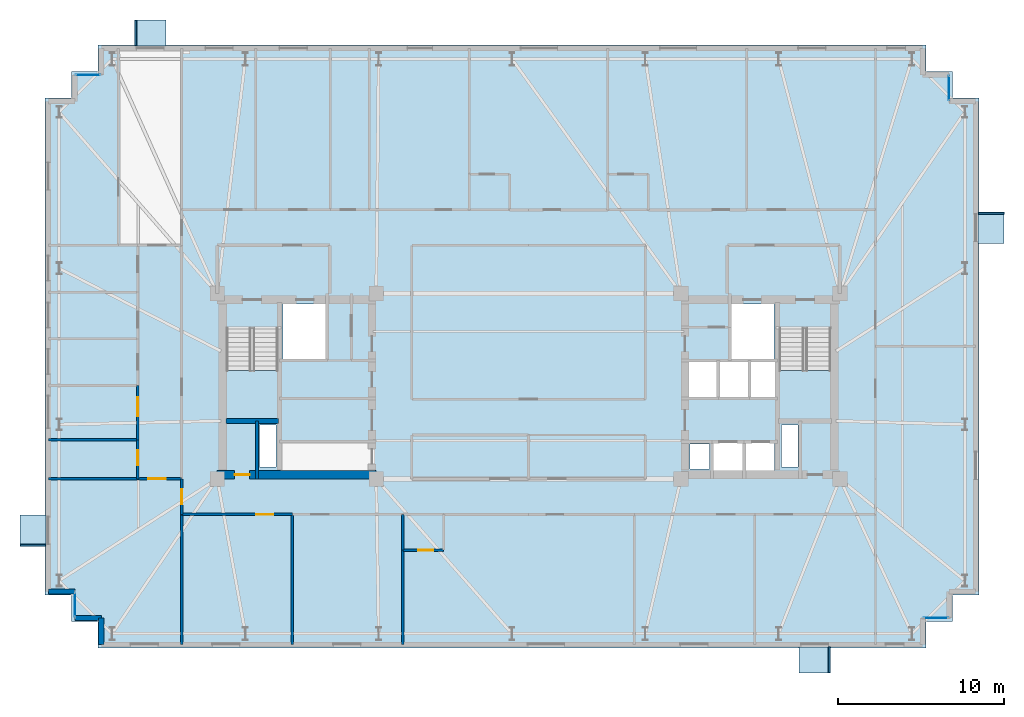
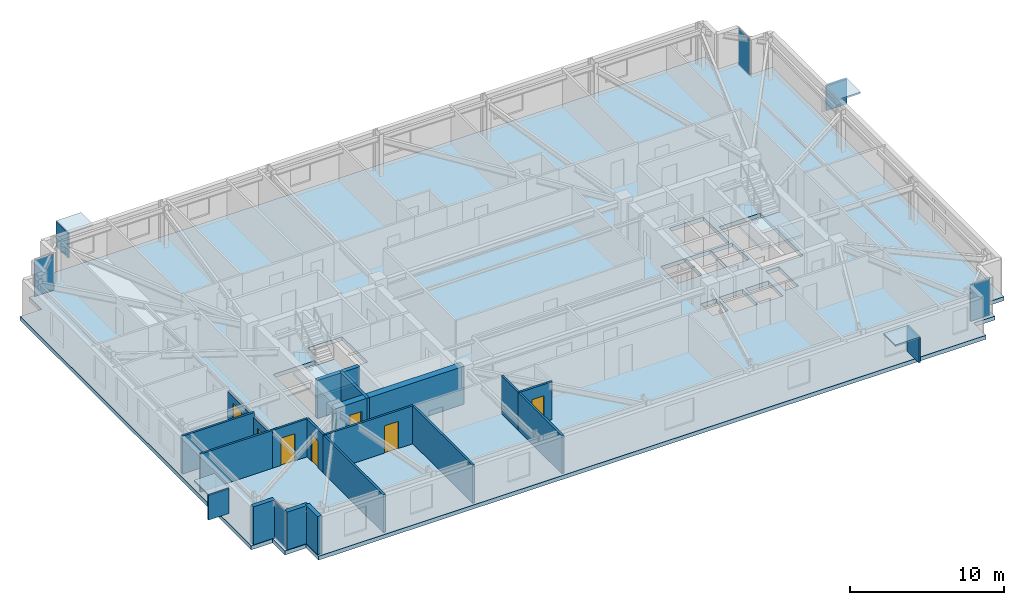
# One storey, part 10 of 17: 18 walls, 12 plates, 7 doors, 3 slabs, 7 openings, 6 elements without a shape of their own.
"""IFC4 building model written with IfcOpenShell, lengths in metres."""

import ifcopenshell
import ifcopenshell.guid

model = None  # the IFC model being written
_history = None  # IfcOwnerHistory: only IFC2X3 demands one
_inside = {}  # id of a spatial element -> (the spatial element, [elements in it])
_under = {}  # id of a project, library or spatial element -> (it, [spatial elements below it])
_declared = {}  # id of a project -> (the project, [libraries it declares])
_typed = {}  # id of a type object -> (the type object, [elements of that type])
_made_of = {}  # id of a material, layer set ... -> (it, [elements and type objects made of it])


def new_model(schema):
    """Start an empty IFC model of exactly this schema.

    Asked for "IFC4X3", IfcOpenShell would pick the latest addendum, in which some entities
    have other attributes; the version numbers below select the first issue.
    IFC2X3 requires an IfcOwnerHistory on every rooted entity: one is made here for all.
    """
    global model, _history
    if schema == "IFC4X3":
        model = ifcopenshell.file(schema_version=(4, 3, 0, 0))
    else:
        model = ifcopenshell.file(schema=schema)
    _inside.clear()
    _under.clear()
    _declared.clear()
    _typed.clear()
    _made_of.clear()
    _history = None
    if model.schema == "IFC2X3":
        org = make("IfcOrganization", Name="unknown")
        user = make(
            "IfcPersonAndOrganization",
            ThePerson=make("IfcPerson", FamilyName="unknown"),
            TheOrganization=org,
        )
        app = make(
            "IfcApplication",
            ApplicationDeveloper=org,
            Version="unknown",
            ApplicationFullName="unknown",
            ApplicationIdentifier="unknown",
        )
        _history = make(
            "IfcOwnerHistory",
            OwningUser=user,
            OwningApplication=app,
            ChangeAction="ADDED",
            CreationDate=0,
        )
    return model


def make(cls, **values):
    """One entity of the class cls with the attributes given. An attribute that is None is left unset."""
    return model.create_entity(
        cls, **{name: value for name, value in values.items() if value is not None}
    )


def rooted(cls, **values):
    """An entity with a GlobalId (a new one), such as an element, a storey or a relation."""
    return make(cls, GlobalId=ifcopenshell.guid.new(), OwnerHistory=_history, **values)


def si_unit(unit_type, name, prefix=None):
    """IfcSIUnit, for example si_unit("LENGTHUNIT", "METRE", prefix="MILLI")."""
    return make("IfcSIUnit", UnitType=unit_type, Prefix=prefix, Name=name)


def assignment(units):
    """IfcUnitAssignment: the units of a project."""
    return None if units is None else make("IfcUnitAssignment", Units=units)


def point(xyz):
    """IfcCartesianPoint."""
    return None if xyz is None else make("IfcCartesianPoint", Coordinates=xyz)


def direction(xyz):
    """IfcDirection."""
    return None if xyz is None else make("IfcDirection", DirectionRatios=xyz)


def frame(location, z_axis=None, x_axis=None):
    """IfcAxis2Placement3D, a coordinate frame: its origin and axes. An axis left out is left unset."""
    return make(
        "IfcAxis2Placement3D",
        Location=point(location),
        Axis=direction(z_axis),
        RefDirection=direction(x_axis),
    )


def frame_2d(location, x_axis=None):
    """IfcAxis2Placement2D, a coordinate frame in the plane: its origin and x axis."""
    return make(
        "IfcAxis2Placement2D", Location=point(location), RefDirection=direction(x_axis)
    )


def origin():
    """The frame at (0, 0, 0) with its axes left unset."""
    return frame((0.0, 0.0, 0.0))


def origin_2d():
    """The frame at (0, 0) in the plane with its x axis left unset."""
    return frame_2d((0.0, 0.0))


def place(relative_to, where):
    """IfcLocalPlacement: puts the frame where relative to a parent placement (None: the world)."""
    return make(
        "IfcLocalPlacement", PlacementRelTo=relative_to, RelativePlacement=where
    )


def context(
    kind, dimensions, precision=None, world=None, true_north=None, identifier=None
):
    """IfcGeometricRepresentationContext, for example the 3D "Model" context."""
    return make(
        "IfcGeometricRepresentationContext",
        ContextIdentifier=identifier,
        ContextType=kind,
        CoordinateSpaceDimension=dimensions,
        Precision=precision,
        WorldCoordinateSystem=world,
        TrueNorth=true_north,
    )


def subcontext(parent, identifier, kind, view, scale=None):
    """IfcGeometricRepresentationSubContext, for example "Body" below "Model"."""
    return make(
        "IfcGeometricRepresentationSubContext",
        ContextIdentifier=identifier,
        ContextType=kind,
        ParentContext=parent,
        TargetScale=scale,
        TargetView=view,
    )


def project(units=None, contexts=None):
    """IfcProject with its units and contexts."""
    return rooted(
        "IfcProject",
        Name="project",
        RepresentationContexts=contexts,
        UnitsInContext=assignment(units),
    )


def spatial(cls, under=None, at=None, **own):
    """A site, building, storey or space (cls), placed at a placement, below another one or the project."""
    s = rooted(cls, ObjectPlacement=at, **own)
    if under is not None:
        _under.setdefault(under.id(), (under, []))[1].append(s)
    return s


def polyline(points):
    """IfcPolyline through the points."""
    return make("IfcPolyline", Points=[point(p) for p in points])


def profile(cls, at=None, kind="AREA", **sizes):
    """A parametric profile (cls). Its sizes go by their IFC names, for example OverallWidth=200.0."""
    return make(cls, ProfileType=kind, Position=at, **sizes)


def rectangle(**sizes):
    """IfcRectangleProfileDef."""
    return profile("IfcRectangleProfileDef", **sizes)


def outline(outer, holes=None, kind="AREA"):
    """IfcArbitraryClosedProfileDef: a profile drawn as a closed curve; with holes, ...WithVoids."""
    if holes is None:
        return make("IfcArbitraryClosedProfileDef", ProfileType=kind, OuterCurve=outer)
    return make(
        "IfcArbitraryProfileDefWithVoids",
        ProfileType=kind,
        OuterCurve=outer,
        InnerCurves=holes,
    )


def extrude(swept, where, along, depth):
    """IfcExtrudedAreaSolid: the profile swept, set in the frame where, extruded along a direction by depth."""
    return make(
        "IfcExtrudedAreaSolid",
        SweptArea=swept,
        Position=where,
        ExtrudedDirection=direction(along),
        Depth=depth,
    )


def shape(context_of_items, identifier, shape_type, items):
    """IfcShapeRepresentation: the items that make up one representation, for example the "Body"."""
    return make(
        "IfcShapeRepresentation",
        ContextOfItems=context_of_items,
        RepresentationIdentifier=identifier,
        RepresentationType=shape_type,
        Items=items,
    )


def material(Name=None, Category=None):
    """IfcMaterial."""
    return make("IfcMaterial", Name=Name, Category=Category)


def layer(
    of_material, thickness, ventilated=None, Name=None, Category=None, Priority=None
):
    """IfcMaterialLayer: one layer of a wall or slab, of a material (None: an air gap)."""
    return make(
        "IfcMaterialLayer",
        Material=of_material,
        LayerThickness=thickness,
        IsVentilated=ventilated,
        Name=Name,
        Category=Category,
        Priority=Priority,
    )


def layer_set(layers, Name=None):
    """IfcMaterialLayerSet."""
    return make("IfcMaterialLayerSet", MaterialLayers=layers, LayerSetName=Name)


def made_of(thing, what):
    """Note that an element or type object is made of a material, layer set ...; save() writes the relation."""
    if what is not None:
        _made_of.setdefault(what.id(), (what, []))[1].append(thing)
    return thing


def type_object(cls, material=None, **own):
    """A type object (cls), such as IfcWallType, which elements share."""
    return made_of(rooted(cls, **own), material)


def element(
    cls,
    number,
    at=None,
    inside=None,
    cuts=None,
    type_object=None,
    material=None,
    context=None,
    identifier="Body",
    shape_type=None,
    held_by="IfcProductDefinitionShape",
    body=None,
    shapes=None,
    **own,
):
    """One element of the class cls, such as IfcWall. Its Tag is "e" and its number.

    at: its placement. inside: the storey or other place that contains it. cuts: it is an
    opening in that element (IfcRelVoidsElement). A single representation is given by context,
    identifier, shape_type and body (its items); several are given by shapes. held_by: the class
    of the entity that holds the representations. save() writes the other relations.
    """
    e = rooted(cls, Tag="e%d" % number, ObjectPlacement=at, **own)
    if body is not None:
        shapes = [shape(context, identifier, shape_type, body)]
    if shapes is not None:
        e.Representation = make(held_by, Representations=shapes)
    if inside is not None:
        _inside.setdefault(inside.id(), (inside, []))[1].append(e)
    if cuts is not None:
        rooted(
            "IfcRelVoidsElement", RelatingBuildingElement=cuts, RelatedOpeningElement=e
        )
    if type_object is not None:
        _typed.setdefault(type_object.id(), (type_object, []))[1].append(e)
    return made_of(e, material)


def fill(opening, filler):
    """IfcRelFillsElement: the door or window that sits in an opening."""
    return rooted(
        "IfcRelFillsElement",
        RelatingOpeningElement=opening,
        RelatedBuildingElement=filler,
    )


def aggregate(whole, parts):
    """IfcRelAggregates: a whole, such as a stair, and the parts it consists of."""
    return rooted("IfcRelAggregates", RelatingObject=whole, RelatedObjects=parts)


def save(model, path):
    """Write the relations noted so far, then the file.

    IfcRelAggregates (storeys below a building ...), IfcRelContainedInSpatialStructure (elements
    in a storey), IfcRelDefinesByType, IfcRelAssociatesMaterial and IfcRelDeclares: one each for
    every whole, place, type object, material and project.
    """
    for whole, parts in _under.values():
        aggregate(whole, parts)
    for where, things in _inside.values():
        rooted(
            "IfcRelContainedInSpatialStructure",
            RelatedElements=things,
            RelatingStructure=where,
        )
    for kind, things in _typed.values():
        rooted("IfcRelDefinesByType", RelatedObjects=things, RelatingType=kind)
    for what, things in _made_of.values():
        rooted("IfcRelAssociatesMaterial", RelatedObjects=things, RelatingMaterial=what)
    for by, libraries in _declared.values():
        rooted("IfcRelDeclares", RelatingContext=by, RelatedDefinitions=libraries)
    model.write(path)


model = new_model("IFC4")

# Units and contexts
model_context = context("Model", 3, precision=1e-05, world=origin(), true_north=direction((0.0, 1.0)))
body_context = subcontext(model_context, "Body", "Model", "MODEL_VIEW")
ifc_project = project(units=[si_unit("LENGTHUNIT", "METRE"), si_unit("AREAUNIT", "SQUARE_METRE"), si_unit("VOLUMEUNIT", "CUBIC_METRE"), si_unit("PLANEANGLEUNIT", "RADIAN"), si_unit("MASSUNIT", "GRAM", prefix="KILO")], contexts=[model_context])

# Site, building, storey
site_placement = place(None, origin())
site = spatial("IfcSite", under=ifc_project, at=site_placement, CompositionType="ELEMENT")
building_placement = place(site_placement, origin())
building = spatial("IfcBuilding", under=site, at=building_placement, Name="Qobustan Lattice House", CompositionType="ELEMENT")
storey_placement = place(building_placement, frame((0.0, 0.0, 171.199951171875)))
storey = spatial("IfcBuildingStorey", under=building, at=storey_placement, Name="L48", CompositionType="ELEMENT", Elevation=171.199951171875)

# Curtain wall, plate
ifc_material_1 = material(Name="Anodised aluminium and low-E glazing", Category="aluminium")
ifc_layer_1 = layer(ifc_material_1, 0.219970703125)
ifc_layer_set_1 = layer_set([ifc_layer_1], Name="Anodised aluminium and low-E glazing")
curtain_wall_type = type_object("IfcCurtainWallType", Name="CW-FAC-02", PredefinedType="USERDEFINED", material=ifc_layer_set_1)
curtain_wall_1_placement = place(storey_placement, origin())
curtain_wall_1 = element("IfcCurtainWall", 1, at=curtain_wall_1_placement, inside=storey, type_object=curtain_wall_type, Name="L48 serrated corner faceted glazing 3", ObjectType="CURTAIN WALL", PredefinedType="USERDEFINED")
ifc_material_2 = material(Name="Clear low-E laminated glass", Category="glass")
ifc_layer_2 = layer(ifc_material_2, 0.031982421875)
ifc_layer_set_2 = layer_set([ifc_layer_2], Name="Clear low-E laminated glass")
plate_type_1 = type_object("IfcPlateType", Name="CWP-VISION-32", PredefinedType="CURTAIN_PANEL", material=ifc_layer_set_2)
plate_1_placement = place(storey_placement, frame((-27.39990234375, -13.199951171875, 0.06494140625), z_axis=(0.0, 0.0, 1.0), x_axis=(0.0, 1.0, 0.0)))
plate_1 = element("IfcPlate", 2, at=plate_1_placement, type_object=plate_type_1, Name="CW-F2 panel 1.1", PredefinedType="CURTAIN_PANEL", context=body_context, shape_type="SweptSolid", body=[
    extrude(rectangle(XDim=1.4599609375, YDim=0.031982421875, at=origin_2d()), origin(), (0.0, 0.0, 1.0), 2.8701171875),
])
aggregate(curtain_wall_1, [plate_1])

curtain_wall_2_placement = place(storey_placement, origin())
curtain_wall_2 = element("IfcCurtainWall", 3, at=curtain_wall_2_placement, inside=storey, type_object=curtain_wall_type, Name="L48 serrated corner faceted glazing 8", ObjectType="CURTAIN WALL", PredefinedType="USERDEFINED")
plate_2_placement = place(storey_placement, frame((-26.60009765625, 18.800048828125, 0.06494140625), z_axis=(0.0, 0.0, 1.0), x_axis=(1.0, 0.0, 0.0)))
plate_2 = element("IfcPlate", 4, at=plate_2_placement, type_object=plate_type_1, Name="CW-F2 panel 1.1", PredefinedType="CURTAIN_PANEL", context=body_context, shape_type="SweptSolid", body=[
    extrude(rectangle(XDim=1.4599609375, YDim=0.031982421875, at=origin_2d()), origin(), (0.0, 0.0, 1.0), 2.8701171875),
])
aggregate(curtain_wall_2, [plate_2])

curtain_wall_3_placement = place(storey_placement, origin())
curtain_wall_3 = element("IfcCurtainWall", 5, at=curtain_wall_3_placement, inside=storey, type_object=curtain_wall_type, Name="L48 serrated corner faceted glazing 13", ObjectType="CURTAIN WALL", PredefinedType="USERDEFINED")
plate_3_placement = place(storey_placement, frame((25.39990234375, 18.0, 0.06494140625), z_axis=(0.0, 0.0, 1.0), x_axis=(0.0, -1.0, 0.0)))
plate_3 = element("IfcPlate", 6, at=plate_3_placement, type_object=plate_type_1, Name="CW-F2 panel 1.1", PredefinedType="CURTAIN_PANEL", context=body_context, shape_type="SweptSolid", body=[
    extrude(rectangle(XDim=1.4599609375, YDim=0.031982421875, at=origin_2d()), origin(), (0.0, 0.0, 1.0), 2.8701171875),
])
aggregate(curtain_wall_3, [plate_3])

curtain_wall_4_placement = place(storey_placement, origin())
curtain_wall_4 = element("IfcCurtainWall", 7, at=curtain_wall_4_placement, inside=storey, type_object=curtain_wall_type, Name="L48 serrated corner faceted glazing 18", ObjectType="CURTAIN WALL", PredefinedType="USERDEFINED")
plate_4_placement = place(storey_placement, frame((24.60009765625, -14.0, 0.06494140625), z_axis=(0.0, 0.0, 1.0), x_axis=(-1.0, 0.0, 0.0)))
plate_4 = element("IfcPlate", 8, at=plate_4_placement, type_object=plate_type_1, Name="CW-F2 panel 1.1", PredefinedType="CURTAIN_PANEL", context=body_context, shape_type="SweptSolid", body=[
    extrude(rectangle(XDim=1.4599609375, YDim=0.031982421875, at=origin_2d()), origin(), (0.0, 0.0, 1.0), 2.8701171875),
])
aggregate(curtain_wall_4, [plate_4])

# Plates
ifc_material_3 = material(Name="Qobustan limestone GFRC", Category="masonry")
ifc_layer_3 = layer(ifc_material_3, 0.1201171875)
ifc_layer_set_3 = layer_set([ifc_layer_3], Name="Qobustan limestone GFRC")
plate_type_2 = type_object("IfcPlateType", Name="SHD-HOOD-BROW", PredefinedType="USERDEFINED", material=ifc_layer_set_3)
plate_5_placement = place(storey_placement, frame((-29.929931640625, -8.719970703125, 2.699951171875), z_axis=(0.0, 0.0, 1.0), x_axis=(0.0, 1.0, 0.0)))
element("IfcPlate", 9, at=plate_5_placement, inside=storey, type_object=plate_type_2, Name="L48 splayed Qobustan stone hood brow", ObjectType="SUNSHADE", PredefinedType="USERDEFINED", context=body_context, shape_type="SweptSolid", body=[
    extrude(rectangle(XDim=1.889892578125, YDim=1.56005859375, at=origin_2d()), origin(), (0.0, 0.0, 1.0), 0.1201171875),
])
plate_6_placement = place(storey_placement, frame((-29.929931640625, -9.60498046875, 0.7900390625), z_axis=(0.0, 0.0, 1.0), x_axis=(0.0, 1.0, 0.0)))
element("IfcPlate", 10, at=plate_6_placement, inside=storey, type_object=plate_type_2, Name="L48 splayed Qobustan stone hood cheek", ObjectType="SUNSHADE", PredefinedType="USERDEFINED", context=body_context, shape_type="SweptSolid", body=[
    extrude(rectangle(XDim=0.1201171875, YDim=1.56005859375, at=origin_2d()), origin(), (0.0, 0.0, 1.0), 1.969970703125),
])
plate_7_placement = place(storey_placement, frame((-22.840087890625, 21.330078125, 2.699951171875), z_axis=(0.0, 0.0, 1.0), x_axis=(1.0, 0.0, 0.0)))
element("IfcPlate", 11, at=plate_7_placement, inside=storey, type_object=plate_type_2, Name="L48 splayed Qobustan stone hood brow", ObjectType="SUNSHADE", PredefinedType="USERDEFINED", context=body_context, shape_type="SweptSolid", body=[
    extrude(rectangle(XDim=1.889892578125, YDim=1.56005859375, at=origin_2d()), origin(), (0.0, 0.0, 1.0), 0.1201171875),
])
plate_8_placement = place(storey_placement, frame((-23.72509765625, 21.330078125, 0.7900390625), z_axis=(0.0, 0.0, 1.0), x_axis=(1.0, 0.0, 0.0)))
element("IfcPlate", 12, at=plate_8_placement, inside=storey, type_object=plate_type_2, Name="L48 splayed Qobustan stone hood cheek", ObjectType="SUNSHADE", PredefinedType="USERDEFINED", context=body_context, shape_type="SweptSolid", body=[
    extrude(rectangle(XDim=0.1201171875, YDim=1.56005859375, at=origin_2d()), origin(), (0.0, 0.0, 1.0), 1.969970703125),
])
plate_9_placement = place(storey_placement, frame((27.929931640625, 9.56005859375, 2.699951171875), z_axis=(0.0, 0.0, 1.0), x_axis=(0.0, -1.0, 0.0)))
element("IfcPlate", 13, at=plate_9_placement, inside=storey, type_object=plate_type_2, Name="L48 splayed Qobustan stone hood brow", ObjectType="SUNSHADE", PredefinedType="USERDEFINED", context=body_context, shape_type="SweptSolid", body=[
    extrude(rectangle(XDim=1.889892578125, YDim=1.56005859375, at=origin_2d()), origin(), (0.0, 0.0, 1.0), 0.1201171875),
])
plate_10_placement = place(storey_placement, frame((27.929931640625, 10.445068359375, 0.7900390625), z_axis=(0.0, 0.0, 1.0), x_axis=(0.0, -1.0, 0.0)))
element("IfcPlate", 14, at=plate_10_placement, inside=storey, type_object=plate_type_2, Name="L48 splayed Qobustan stone hood cheek", ObjectType="SUNSHADE", PredefinedType="USERDEFINED", context=body_context, shape_type="SweptSolid", body=[
    extrude(rectangle(XDim=0.1201171875, YDim=1.56005859375, at=origin_2d()), origin(), (0.0, 0.0, 1.0), 1.969970703125),
])
plate_11_placement = place(storey_placement, frame((17.280029296875, -16.530029296875, 2.699951171875), z_axis=(0.0, 0.0, 1.0), x_axis=(-1.0, 0.0, 0.0)))
element("IfcPlate", 15, at=plate_11_placement, inside=storey, type_object=plate_type_2, Name="L48 splayed Qobustan stone hood brow", ObjectType="SUNSHADE", PredefinedType="USERDEFINED", context=body_context, shape_type="SweptSolid", body=[
    extrude(rectangle(XDim=1.889892578125, YDim=1.56005859375, at=origin_2d()), origin(), (0.0, 0.0, 1.0), 0.1201171875),
])
plate_12_placement = place(storey_placement, frame((18.1650390625, -16.530029296875, 0.7900390625), z_axis=(0.0, 0.0, 1.0), x_axis=(-1.0, 0.0, 0.0)))
element("IfcPlate", 16, at=plate_12_placement, inside=storey, type_object=plate_type_2, Name="L48 splayed Qobustan stone hood cheek", ObjectType="SUNSHADE", PredefinedType="USERDEFINED", context=body_context, shape_type="SweptSolid", body=[
    extrude(rectangle(XDim=0.1201171875, YDim=1.56005859375, at=origin_2d()), origin(), (0.0, 0.0, 1.0), 1.969970703125),
])

# Slab
ifc_material_4 = material(Name="Concrete C40/50", Category="concrete")
ifc_layer_4 = layer(ifc_material_4, 0.31005859375)
ifc_layer_set_4 = layer_set([ifc_layer_4], Name="Concrete C40/50")
slab_type_1 = type_object("IfcSlabType", Name="SLB-FLR-310", PredefinedType="FLOOR", material=ifc_layer_set_4)
slab_1_placement = place(storey_placement, frame((0.0, 0.0, -0.31005859375)))
element("IfcSlab", 17, at=slab_1_placement, inside=storey, type_object=slab_type_1, Name="L48 structural floor slab", PredefinedType="FLOOR", context=body_context, shape_type="SweptSolid", body=[
    extrude(outline(polyline([(-26.0, -15.800048828125), (24.0, -15.800048828125), (24.0, -14.199951171875), (25.60009765625, -14.199951171875), (25.60009765625, -12.60009765625), (27.199951171875, -12.60009765625), (27.199951171875, 17.39990234375), (25.60009765625, 17.39990234375), (25.60009765625, 19.0), (24.0, 19.0), (24.0, 20.60009765625), (-26.0, 20.60009765625), (-26.0, 19.0), (-27.60009765625, 19.0), (-27.60009765625, 17.39990234375), (-29.199951171875, 17.39990234375), (-29.199951171875, -12.60009765625), (-27.60009765625, -12.60009765625), (-27.60009765625, -14.199951171875), (-26.0, -14.199951171875), (-26.0, -15.800048828125)]), holes=[polyline([(-18.25, -2.050048828125), (-18.25, 3.489990234375), (-15.1298828125, 3.489990234375), (-15.1298828125, -2.050048828125), (-18.25, -2.050048828125)]), polyline([(15.1298828125, -2.050048828125), (15.1298828125, 3.489990234375), (18.25, 3.489990234375), (18.25, -2.050048828125), (15.1298828125, -2.050048828125)]), polyline([(-14.820068359375, 1.64990234375), (-14.820068359375, 4.9599609375), (-12.25, 4.9599609375), (-12.25, 1.64990234375), (-14.820068359375, 1.64990234375)]), polyline([(12.25, 1.64990234375), (12.25, 4.9599609375), (14.820068359375, 4.9599609375), (14.820068359375, 1.64990234375), (12.25, 1.64990234375)]), polyline([(-16.260009765625, -4.8798828125), (-16.260009765625, -2.360107421875), (-15.260009765625, -2.360107421875), (-15.260009765625, -4.8798828125), (-16.260009765625, -4.8798828125)]), polyline([(15.260009765625, -4.8798828125), (15.260009765625, -2.360107421875), (16.260009765625, -2.360107421875), (16.260009765625, -4.8798828125), (15.260009765625, -4.8798828125)]), polyline([(11.179931640625, -5.35009765625), (11.179931640625, -3.419921875), (12.919921875, -3.419921875), (12.919921875, -5.35009765625), (11.179931640625, -5.35009765625)]), polyline([(13.1201171875, -5.35009765625), (13.1201171875, -3.419921875), (14.85009765625, -3.419921875), (14.85009765625, -5.35009765625), (13.1201171875, -5.35009765625)]), polyline([(9.760009765625, -5.0), (9.760009765625, -3.47998046875), (10.93994140625, -3.47998046875), (10.93994140625, -5.0), (9.760009765625, -5.0)]), polyline([(13.360107421875, -0.679931640625), (13.360107421875, 1.47998046875), (14.97998046875, 1.47998046875), (14.97998046875, -0.679931640625), (13.360107421875, -0.679931640625)]), polyline([(9.6201171875, -0.679931640625), (9.6201171875, 1.47998046875), (11.43994140625, 1.47998046875), (11.43994140625, -0.679931640625), (9.6201171875, -0.679931640625)]), polyline([(11.5, -0.679931640625), (11.5, 1.47998046875), (13.320068359375, 1.47998046875), (13.320068359375, -0.679931640625), (11.5, -0.679931640625)])]), origin(), (0.0, 0.0, 1.0), 0.31005859375),
])

# Stair, slab
ifc_material_5 = material(Name="Concrete C40/50", Category="concrete")
stair_type = type_object("IfcStairType", Name="STR-CORE-DOGLEG", PredefinedType="HALF_TURN_STAIR", material=ifc_material_5)
stair_1_placement = place(storey_placement, origin())
stair_1 = element("IfcStair", 18, at=stair_1_placement, inside=storey, type_object=stair_type, Name="L48 West protected exit stair ST-W1", PredefinedType="HALF_TURN_STAIR")
ifc_material_6 = material(Name="Concrete C40/50", Category="concrete")
ifc_layer_5 = layer(ifc_material_6, 0.199951171875)
ifc_layer_set_5 = layer_set([ifc_layer_5], Name="Concrete C40/50")
slab_type_2 = type_object("IfcSlabType", Name="SLB-LANDING-200", PredefinedType="LANDING", material=ifc_layer_set_5)
slab_2_placement = place(storey_placement, frame((0.0, 0.0, 1.47509765625)))
slab_2 = element("IfcSlab", 19, at=slab_2_placement, type_object=slab_type_2, Name="ST-W1 landing 1", PredefinedType="LANDING", context=body_context, shape_type="SweptSolid", body=[
    extrude(outline(polyline([(-18.25, 0.93505859375), (-18.25, -2.050048828125), (-15.1298828125, -2.050048828125), (-15.1298828125, 0.93505859375), (-18.25, 0.93505859375)])), origin(), (0.0, 0.0, 1.0), 0.199951171875),
])
aggregate(stair_1, [slab_2])

stair_2_placement = place(storey_placement, origin())
stair_2 = element("IfcStair", 20, at=stair_2_placement, inside=storey, type_object=stair_type, Name="L48 East protected exit stair ST-E1", PredefinedType="HALF_TURN_STAIR")
slab_3_placement = place(storey_placement, frame((0.0, 0.0, 1.47509765625)))
slab_3 = element("IfcSlab", 21, at=slab_3_placement, type_object=slab_type_2, Name="ST-E1 landing 1", PredefinedType="LANDING", context=body_context, shape_type="SweptSolid", body=[
    extrude(outline(polyline([(15.1298828125, 0.93505859375), (15.1298828125, -2.050048828125), (18.25, -2.050048828125), (18.25, 0.93505859375), (15.1298828125, 0.93505859375)])), origin(), (0.0, 0.0, 1.0), 0.199951171875),
])
aggregate(stair_2, [slab_3])

# Wall, opening, door
ifc_material_7 = material(Name="Concrete C50/60", Category="concrete")
ifc_layer_6 = layer(ifc_material_7, 0.5)
ifc_layer_set_6 = layer_set([ifc_layer_6], Name="Concrete C50/60")
wall_type_1 = type_object("IfcWallType", Name="WAL-CORE-500", PredefinedType="SHEAR", material=ifc_layer_set_6)
wall_1_placement = place(storey_placement, frame((-18.800048828125, -5.35009765625, 0.0), z_axis=(0.0, 0.0, 1.0), x_axis=(1.0, 0.0, 0.0)))
wall_1 = element("IfcWall", 22, at=wall_1_placement, inside=storey, type_object=wall_type_1, Name="L48 split-core shear wall CW-S", PredefinedType="SHEAR", context=body_context, shape_type="SweptSolid", body=[
    extrude(rectangle(XDim=9.60009765625, YDim=0.5, at=frame_2d((4.800048828125, 0.0))), origin(), (0.0, 0.0, 1.0), 3.0),
])
opening_1_placement = place(wall_1_placement, frame((1.050048828125, 0.0, 0.0)))
opening_1 = element("IfcOpeningElement", 23, at=opening_1_placement, cuts=wall_1, Name="Opening RD-01", PredefinedType="OPENING", context=body_context, shape_type="SweptSolid", body=[
    extrude(rectangle(XDim=0.89990234375, YDim=2.10009765625, at=frame_2d((0.449951171875, 1.050048828125))), frame((0.0, 0.260009765625, 0.0), z_axis=(0.0, -1.0, 0.0), x_axis=(1.0, 0.0, 0.0)), (0.0, 0.0, 1.0), 0.52001953125),
])
ifc_material_8 = material(Name="Persian walnut timber and steel frame door", Category="steel")
door_type_1 = type_object("IfcDoorType", Name="DOR-RISER-FD-900x2100", OperationType="NOTDEFINED", PredefinedType="DOOR", material=ifc_material_8)
door_1_placement = place(opening_1_placement, origin())
door_1 = element("IfcDoor", 24, at=door_1_placement, inside=storey, type_object=door_type_1, Name="L48 core service riser access door W", OperationType="SINGLE_SWING_LEFT", OverallHeight=2.10009765625, OverallWidth=0.89990234375, PredefinedType="DOOR", context=body_context, shape_type="SweptSolid", body=[
    extrude(rectangle(XDim=0.89990234375, YDim=2.10009765625, at=frame_2d((0.449951171875, 1.050048828125))), frame((0.0, 0.02490234375, 0.0), z_axis=(0.0, -1.0, 0.0), x_axis=(1.0, 0.0, 0.0)), (0.0, 0.0, 1.0), 0.050048828125),
])
fill(opening_1, door_1)

# Walls
ifc_material_9 = material(Name="Concrete C50/60", Category="concrete")
ifc_layer_7 = layer(ifc_material_9, 0.280029296875)
ifc_layer_set_7 = layer_set([ifc_layer_7], Name="Concrete C50/60")
wall_type_2 = type_object("IfcWallType", Name="WAL-CORE-SPINE-280", PredefinedType="SHEAR", material=ifc_layer_set_7)
wall_2_placement = place(storey_placement, frame((-18.280029296875, -2.110107421875, 0.0), z_axis=(0.0, 0.0, 1.0), x_axis=(1.0, 0.0, 0.0)))
element("IfcWall", 25, at=wall_2_placement, inside=storey, type_object=wall_type_2, Name="L48 split-core shear wall CW-ST", PredefinedType="SHEAR", context=body_context, shape_type="SweptSolid", body=[
    extrude(rectangle(XDim=3.179931640625, YDim=0.300048828125, at=frame_2d((1.58984375, 0.0))), origin(), (0.0, 0.0, 1.0), 3.0),
])
ifc_material_10 = material(Name="Precast concrete C40/50", Category="concrete")
ifc_layer_8 = layer(ifc_material_10, 0.320068359375)
ifc_layer_set_8 = layer_set([ifc_layer_8], Name="Precast concrete C40/50")
wall_type_3 = type_object("IfcWallType", Name="WAL-EXT-STONE-320", PredefinedType="SOLIDWALL", material=ifc_layer_set_8)
wall_3_placement = place(storey_placement, frame((-25.800048828125, -15.60009765625, 0.0), z_axis=(0.0, 0.0, 1.0), x_axis=(0.0, 1.0, 0.0)))
element("IfcWall", 26, at=wall_3_placement, inside=storey, type_object=wall_type_3, Name="L48 exterior limestone-clad wall 1", PredefinedType="SOLIDWALL", context=body_context, shape_type="SweptSolid", body=[
    extrude(rectangle(XDim=1.60009765625, YDim=0.320068359375, at=frame_2d((0.800048828125, 0.0))), origin(), (0.0, 0.0, 1.0), 3.0),
])
wall_4_placement = place(storey_placement, frame((-25.800048828125, -14.0, 0.0), z_axis=(0.0, 0.0, 1.0), x_axis=(-1.0, 0.0, 0.0)))
element("IfcWall", 27, at=wall_4_placement, inside=storey, type_object=wall_type_3, Name="L48 exterior limestone-clad wall 2", PredefinedType="SOLIDWALL", context=body_context, shape_type="SweptSolid", body=[
    extrude(rectangle(XDim=1.599853515625, YDim=0.320068359375, at=frame_2d((0.7998046875, 0.0))), origin(), (0.0, 0.0, 1.0), 3.0),
])
wall_5_placement = place(storey_placement, frame((-27.39990234375, -12.39990234375, 0.0), z_axis=(0.0, 0.0, 1.0), x_axis=(-1.0, 0.0, 0.0)))
element("IfcWall", 28, at=wall_5_placement, inside=storey, type_object=wall_type_3, Name="L48 exterior limestone-clad wall 4", PredefinedType="SOLIDWALL", context=body_context, shape_type="SweptSolid", body=[
    extrude(rectangle(XDim=1.60009765625, YDim=0.320068359375, at=frame_2d((0.800048828125, 0.0))), origin(), (0.0, 0.0, 1.0), 3.0),
])

# Wall, opening, door
ifc_material_11 = material(Name="Acoustic twin-stud gypsum partition", Category="gypsum")
ifc_layer_9 = layer(ifc_material_11, 0.14990234375)
ifc_layer_set_9 = layer_set([ifc_layer_9], Name="Acoustic twin-stud gypsum partition")
wall_type_4 = type_object("IfcWallType", Name="WAL-PART-150", PredefinedType="PARTITIONING", material=ifc_layer_set_9)
wall_6_placement = place(storey_placement, frame((-20.949951171875, -7.75, 0.0), z_axis=(0.0, 0.0, 1.0), x_axis=(0.0, 1.0, 0.0)))
wall_6 = element("IfcWall", 29, at=wall_6_placement, inside=storey, type_object=wall_type_4, Name="L48 interior partition 48", PredefinedType="PARTITIONING", context=body_context, shape_type="SweptSolid", body=[
    extrude(rectangle(XDim=2.14990234375, YDim=0.14990234375, at=frame_2d((1.074951171875, 0.0))), origin(), (0.0, 0.0, 1.0), 3.0),
])
opening_2_placement = place(wall_6_placement, frame((0.625, 0.0, 0.0)))
opening_2 = element("IfcOpeningElement", 30, at=opening_2_placement, cuts=wall_6, Name="Opening WD-01", PredefinedType="OPENING", context=body_context, shape_type="SweptSolid", body=[
    extrude(rectangle(XDim=0.89990234375, YDim=2.10009765625, at=frame_2d((0.449951171875, 1.050048828125))), frame((0.0, 0.0849609375, 0.0), z_axis=(0.0, -1.0, 0.0), x_axis=(1.0, 0.0, 0.0)), (0.0, 0.0, 1.0), 0.169921875),
])
ifc_material_12 = material(Name="Persian walnut timber and steel frame door", Category="steel")
door_type_2 = type_object("IfcDoorType", Name="DOR-WET-900x2100", OperationType="NOTDEFINED", PredefinedType="DOOR", material=ifc_material_12)
door_2_placement = place(opening_2_placement, origin())
door_2 = element("IfcDoor", 31, at=door_2_placement, inside=storey, type_object=door_type_2, Name="L48 South-west floor corridor to Reading study room L48WS door", OperationType="SINGLE_SWING_LEFT", OverallHeight=2.10009765625, OverallWidth=0.89990234375, PredefinedType="DOOR", context=body_context, shape_type="SweptSolid", body=[
    extrude(rectangle(XDim=0.89990234375, YDim=2.10009765625, at=frame_2d((0.449951171875, 1.050048828125))), frame((0.0, 0.02490234375, 0.0), z_axis=(0.0, -1.0, 0.0), x_axis=(1.0, 0.0, 0.0)), (0.0, 0.0, 1.0), 0.050048828125),
])
fill(opening_2, door_2)

wall_7_placement = place(storey_placement, frame((-14.2666015625, -7.75, 0.0), z_axis=(0.0, 0.0, 1.0), x_axis=(-1.0, 0.0, 0.0)))
wall_7 = element("IfcWall", 32, at=wall_7_placement, inside=storey, type_object=wall_type_4, Name="L48 interior partition 49", PredefinedType="PARTITIONING", context=body_context, shape_type="SweptSolid", body=[
    extrude(rectangle(XDim=6.683349609375, YDim=0.14990234375, at=frame_2d((3.341796875, 0.0))), origin(), (0.0, 0.0, 1.0), 3.0),
])
opening_3_placement = place(wall_7_placement, frame((1.13916015625, 0.0, 0.0)))
opening_3 = element("IfcOpeningElement", 33, at=opening_3_placement, cuts=wall_7, Name="Opening ID-02", PredefinedType="OPENING", context=body_context, shape_type="SweptSolid", body=[
    extrude(rectangle(XDim=1.050048828125, YDim=2.14990234375, at=frame_2d((0.52490234375, 1.074951171875))), frame((0.0, 0.0849609375, 0.0), z_axis=(0.0, -1.0, 0.0), x_axis=(1.0, 0.0, 0.0)), (0.0, 0.0, 1.0), 0.169921875),
])
ifc_material_13 = material(Name="Persian walnut timber and steel frame door", Category="steel")
door_type_3 = type_object("IfcDoorType", Name="DOR-STUDY-1050x2150", OperationType="NOTDEFINED", PredefinedType="DOOR", material=ifc_material_13)
door_3_placement = place(opening_3_placement, origin())
door_3 = element("IfcDoor", 34, at=door_3_placement, inside=storey, type_object=door_type_3, Name="L48 South-west floor corridor to Focus study room S1A door", OperationType="SINGLE_SWING_RIGHT", OverallHeight=2.14990234375, OverallWidth=1.050048828125, PredefinedType="DOOR", context=body_context, shape_type="SweptSolid", body=[
    extrude(rectangle(XDim=1.050048828125, YDim=2.14990234375, at=frame_2d((0.52490234375, 1.074951171875))), frame((0.0, 0.02490234375, 0.0), z_axis=(0.0, -1.0, 0.0), x_axis=(1.0, 0.0, 0.0)), (0.0, 0.0, 1.0), 0.050048828125),
])
fill(opening_3, door_3)

wall_8_placement = place(storey_placement, frame((-20.949951171875, -5.60009765625, 0.0), z_axis=(0.0, 0.0, 1.0), x_axis=(-1.0, 0.0, 0.0)))
wall_8 = element("IfcWall", 35, at=wall_8_placement, inside=storey, type_object=wall_type_4, Name="L48 interior partition 70", PredefinedType="PARTITIONING", context=body_context, shape_type="SweptSolid", body=[
    extrude(rectangle(XDim=2.650146484375, YDim=0.14990234375, at=frame_2d((1.3251953125, 0.0))), origin(), (0.0, 0.0, 1.0), 3.0),
])
opening_4_placement = place(wall_8_placement, frame((0.965087890625, 0.0, 0.0)))
opening_4 = element("IfcOpeningElement", 36, at=opening_4_placement, cuts=wall_8, Name="Opening ID-02", PredefinedType="OPENING", context=body_context, shape_type="SweptSolid", body=[
    extrude(rectangle(XDim=1.050048828125, YDim=2.14990234375, at=frame_2d((0.52490234375, 1.074951171875))), frame((0.0, 0.0849609375, 0.0), z_axis=(0.0, -1.0, 0.0), x_axis=(1.0, 0.0, 0.0)), (0.0, 0.0, 1.0), 0.169921875),
])
door_4_placement = place(opening_4_placement, origin())
door_4 = element("IfcDoor", 37, at=door_4_placement, inside=storey, type_object=door_type_3, Name="L48 Residence entrance hall L48W to Reading study room L48WS door", OperationType="SINGLE_SWING_RIGHT", OverallHeight=2.14990234375, OverallWidth=1.050048828125, PredefinedType="DOOR", context=body_context, shape_type="SweptSolid", body=[
    extrude(rectangle(XDim=1.050048828125, YDim=2.14990234375, at=frame_2d((0.52490234375, 1.074951171875))), frame((0.0, 0.02490234375, 0.0), z_axis=(0.0, -1.0, 0.0), x_axis=(1.0, 0.0, 0.0)), (0.0, 0.0, 1.0), 0.050048828125),
])
fill(opening_4, door_4)

# Walls
for number, where, z_axis, x_axis, name in (
    (38, (-20.949951171875, -7.75, 0.0), (0.0, 0.0, 1.0), (0.0, -1.0, 0.0), "L48 interior partition 81"),
    (39, (-14.2666015625, -7.75, 0.0), (0.0, 0.0, 1.0), (0.0, -1.0, 0.0), "L48 interior partition 101"),
):
    element("IfcWall", number, at=place(storey_placement, frame(where, z_axis=z_axis, x_axis=x_axis)), inside=storey, type_object=wall_type_4, Name=name, PredefinedType="PARTITIONING", context=body_context, shape_type="SweptSolid", body=[
        extrude(rectangle(XDim=7.85009765625, YDim=0.14990234375, at=frame_2d((3.925048828125, 0.0))), origin(), (0.0, 0.0, 1.0), 3.0),
    ])
wall_9_placement = place(storey_placement, frame((-7.5830078125, -9.89990234375, 0.0), z_axis=(0.0, 0.0, 1.0), x_axis=(0.0, -1.0, 0.0)))
element("IfcWall", 40, at=wall_9_placement, inside=storey, type_object=wall_type_4, Name="L48 interior partition 102", PredefinedType="PARTITIONING", context=body_context, shape_type="SweptSolid", body=[
    extrude(rectangle(XDim=5.7001953125, YDim=0.14990234375, at=frame_2d((2.85009765625, 0.0))), origin(), (0.0, 0.0, 1.0), 3.0),
])

# Wall, opening, door
ifc_material_14 = material(Name="High-mass acoustic twin-stud partition", Category="gypsum")
ifc_layer_10 = layer(ifc_material_14, 0.1650390625)
ifc_layer_set_10 = layer_set([ifc_layer_10], Name="High-mass acoustic twin-stud partition")
wall_type_5 = type_object("IfcWallType", Name="WAL-PART-165", PredefinedType="PARTITIONING", material=ifc_layer_set_10)
wall_10_placement = place(storey_placement, frame((-23.60009765625, -3.25, 0.0), z_axis=(0.0, 0.0, 1.0), x_axis=(0.0, 1.0, 0.0)))
wall_10 = element("IfcWall", 41, at=wall_10_placement, inside=storey, type_object=wall_type_5, Name="L48 interior partition 72", PredefinedType="PARTITIONING", context=body_context, shape_type="SweptSolid", body=[
    extrude(rectangle(XDim=3.2900390625, YDim=0.1650390625, at=frame_2d((1.64501953125, 0.0))), origin(), (0.0, 0.0, 1.0), 2.655029296875),
])
opening_5_placement = place(wall_10_placement, frame((1.4375, 0.0, 0.0)))
opening_5 = element("IfcOpeningElement", 42, at=opening_5_placement, cuts=wall_10, Name="Opening ID-03", PredefinedType="OPENING", context=body_context, shape_type="SweptSolid", body=[
    extrude(rectangle(XDim=1.14990234375, YDim=2.14990234375, at=frame_2d((0.574951171875, 1.074951171875))), frame((0.0, 0.092529296875, 0.0), z_axis=(0.0, -1.0, 0.0), x_axis=(1.0, 0.0, 0.0)), (0.0, 0.0, 1.0), 0.18505859375),
])
ifc_material_15 = material(Name="Persian walnut timber and steel frame door", Category="steel")
door_type_4 = type_object("IfcDoorType", Name="DOR-KITCH-1150x2150", OperationType="NOTDEFINED", PredefinedType="DOOR", material=ifc_material_15)
door_5_placement = place(opening_5_placement, origin())
door_5 = element("IfcDoor", 43, at=door_5_placement, inside=storey, type_object=door_type_4, Name="L48 Residence entrance hall L48W to Shared kitchen L48W door", OperationType="SINGLE_SWING_RIGHT", OverallHeight=2.14990234375, OverallWidth=1.14990234375, PredefinedType="DOOR", context=body_context, shape_type="SweptSolid", body=[
    extrude(rectangle(XDim=1.14990234375, YDim=2.14990234375, at=frame_2d((0.574951171875, 1.074951171875))), frame((0.0, 0.02490234375, 0.0), z_axis=(0.0, -1.0, 0.0), x_axis=(1.0, 0.0, 0.0)), (0.0, 0.0, 1.0), 0.050048828125),
])
fill(opening_5, door_5)

# Wall
ifc_material_16 = material(Name="Concrete C40/50", Category="concrete")
ifc_layer_11 = layer(ifc_material_16, 0.199951171875)
ifc_layer_set_11 = layer_set([ifc_layer_11], Name="Concrete C40/50")
wall_type_6 = type_object("IfcWallType", Name="WAL-SHAFT-200", PredefinedType="PARTITIONING", material=ifc_layer_set_11)
wall_11_placement = place(storey_placement, frame((-16.39990234375, -5.60009765625, 0.0), z_axis=(0.0, 0.0, 1.0), x_axis=(0.0, 1.0, 0.0)))
element("IfcWall", 44, at=wall_11_placement, inside=storey, type_object=wall_type_6, Name="L48 interior partition 1", PredefinedType="PARTITIONING", context=body_context, shape_type="SweptSolid", body=[
    extrude(rectangle(XDim=3.489990234375, YDim=0.199951171875, at=frame_2d((1.7451171875, 0.0))), origin(), (0.0, 0.0, 1.0), 3.0),
])

# Wall, opening, door
ifc_material_17 = material(Name="Moisture-resistant acoustic plumbing wall", Category="gypsum")
ifc_layer_12 = layer(ifc_material_17, 0.14990234375)
ifc_layer_set_12 = layer_set([ifc_layer_12], Name="Moisture-resistant acoustic plumbing wall")
wall_type_7 = type_object("IfcWallType", Name="WAL-WET-150", PredefinedType="PLUMBINGWALL", material=ifc_layer_set_12)
wall_12_placement = place(storey_placement, frame((-23.60009765625, -5.60009765625, 0.0), z_axis=(0.0, 0.0, 1.0), x_axis=(0.0, 1.0, 0.0)))
wall_12 = element("IfcWall", 45, at=wall_12_placement, inside=storey, type_object=wall_type_7, Name="L48 interior partition 71", PredefinedType="PLUMBINGWALL", context=body_context, shape_type="SweptSolid", body=[
    extrude(rectangle(XDim=2.35009765625, YDim=0.14990234375, at=frame_2d((1.175048828125, 0.0))), origin(), (0.0, 0.0, 1.0), 2.655029296875),
])
opening_6_placement = place(wall_12_placement, frame((0.833740234375, 0.0, 0.0)))
opening_6 = element("IfcOpeningElement", 46, at=opening_6_placement, cuts=wall_12, Name="Opening WD-01", PredefinedType="OPENING", context=body_context, shape_type="SweptSolid", body=[
    extrude(rectangle(XDim=0.89990234375, YDim=2.10009765625, at=frame_2d((0.449951171875, 1.050048828125))), frame((0.0, 0.0849609375, 0.0), z_axis=(0.0, -1.0, 0.0), x_axis=(1.0, 0.0, 0.0)), (0.0, 0.0, 1.0), 0.169921875),
])
door_6_placement = place(opening_6_placement, origin())
door_6 = element("IfcDoor", 47, at=door_6_placement, inside=storey, type_object=door_type_2, Name="L48 Residence entrance hall L48W to Shared bathroom L48W door", OperationType="SINGLE_SWING_LEFT", OverallHeight=2.10009765625, OverallWidth=0.89990234375, PredefinedType="DOOR", context=body_context, shape_type="SweptSolid", body=[
    extrude(rectangle(XDim=0.89990234375, YDim=2.10009765625, at=frame_2d((0.449951171875, 1.050048828125))), frame((0.0, 0.02490234375, 0.0), z_axis=(0.0, -1.0, 0.0), x_axis=(1.0, 0.0, 0.0)), (0.0, 0.0, 1.0), 0.050048828125),
])
fill(opening_6, door_6)

# Walls
for number, where, z_axis, x_axis, name in (
    (48, (-29.0, -5.60009765625, 0.0), (0.0, 0.0, 1.0), (1.0, 0.0, 0.0), "L48 interior partition 80"),
    (49, (-29.0, -3.25, 0.0), (0.0, 0.0, 1.0), (1.0, 0.0, 0.0), "L48 interior partition 82"),
):
    element("IfcWall", number, at=place(storey_placement, frame(where, z_axis=z_axis, x_axis=x_axis)), inside=storey, type_object=wall_type_7, Name=name, PredefinedType="PLUMBINGWALL", context=body_context, shape_type="SweptSolid", body=[
        extrude(rectangle(XDim=5.39990234375, YDim=0.14990234375, at=frame_2d((2.699951171875, 0.0))), origin(), (0.0, 0.0, 1.0), 3.0),
    ])
wall_13_placement = place(storey_placement, frame((-7.5830078125, -7.75, 0.0), z_axis=(0.0, 0.0, 1.0), x_axis=(0.0, -1.0, 0.0)))
element("IfcWall", 50, at=wall_13_placement, inside=storey, type_object=wall_type_7, Name="L48 interior partition 103", PredefinedType="PLUMBINGWALL", context=body_context, shape_type="SweptSolid", body=[
    extrude(rectangle(XDim=2.14990234375, YDim=0.14990234375, at=frame_2d((1.074951171875, 0.0))), origin(), (0.0, 0.0, 1.0), 3.0),
])

# Wall, opening, door
wall_14_placement = place(storey_placement, frame((-7.5830078125, -9.89990234375, 0.0), z_axis=(0.0, 0.0, 1.0), x_axis=(1.0, 0.0, 0.0)))
wall_14 = element("IfcWall", 51, at=wall_14_placement, inside=storey, type_object=wall_type_7, Name="L48 interior partition 104", PredefinedType="PLUMBINGWALL", context=body_context, shape_type="SweptSolid", body=[
    extrude(rectangle(XDim=2.449951171875, YDim=0.14990234375, at=frame_2d((1.22509765625, 0.0))), origin(), (0.0, 0.0, 1.0), 3.0),
])
opening_7_placement = place(wall_14_placement, frame((0.92138671875, 0.0, 0.0)))
opening_7 = element("IfcOpeningElement", 52, at=opening_7_placement, cuts=wall_14, Name="Opening WD-01", PredefinedType="OPENING", context=body_context, shape_type="SweptSolid", body=[
    extrude(rectangle(XDim=0.89990234375, YDim=2.10009765625, at=frame_2d((0.449951171875, 1.050048828125))), frame((0.0, 0.0849609375, 0.0), z_axis=(0.0, -1.0, 0.0), x_axis=(1.0, 0.0, 0.0)), (0.0, 0.0, 1.0), 0.169921875),
])
door_7_placement = place(opening_7_placement, origin())
door_7 = element("IfcDoor", 53, at=door_7_placement, inside=storey, type_object=door_type_2, Name="L48 Kitchenette and studio apartment L48-S2 to En-suite bathroom L48-S2 door", OperationType="SINGLE_SWING_LEFT", OverallHeight=2.10009765625, OverallWidth=0.89990234375, PredefinedType="DOOR", context=body_context, shape_type="SweptSolid", body=[
    extrude(rectangle(XDim=0.89990234375, YDim=2.10009765625, at=frame_2d((0.449951171875, 1.050048828125))), frame((0.0, 0.02490234375, 0.0), z_axis=(0.0, -1.0, 0.0), x_axis=(1.0, 0.0, 0.0)), (0.0, 0.0, 1.0), 0.050048828125),
])
fill(opening_7, door_7)

save(model, "model.ifc")
